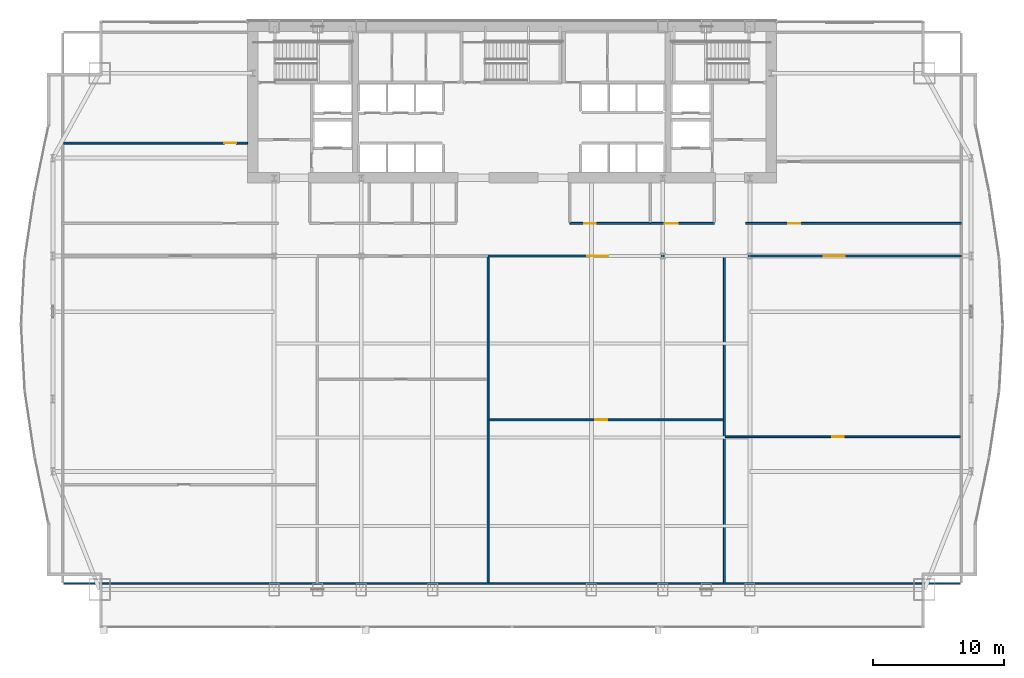
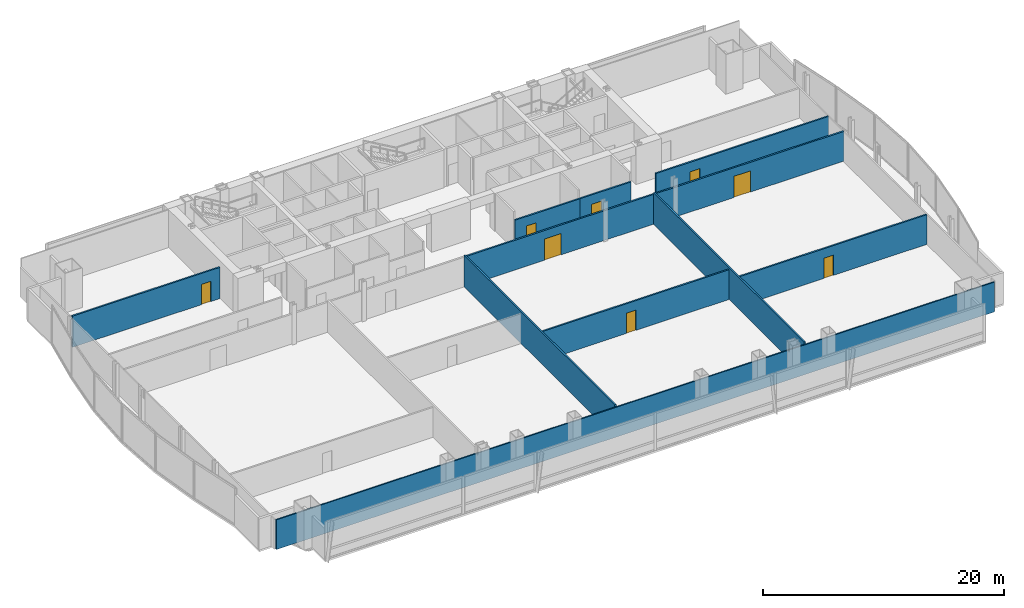
# One storey, part 31 of 36: 11 walls, 8 doors, 8 openings.
"""IFC4 building model written with IfcOpenShell, lengths in metres."""

from ifc_helpers import new_model, si_unit, direction, frame, frame_2d, origin, place, context, subcontext, project, spatial, rectangle, extrude, material, layer, layer_set, type_object, element, fill, save


model = new_model("IFC4")

# Units and contexts
model_context = context("Model", 3, precision=1e-05, world=origin(), true_north=direction((0.0, 1.0)))
body_context = subcontext(model_context, "Body", "Model", "MODEL_VIEW")
ifc_project = project(units=[si_unit("LENGTHUNIT", "METRE"), si_unit("AREAUNIT", "SQUARE_METRE"), si_unit("VOLUMEUNIT", "CUBIC_METRE"), si_unit("PLANEANGLEUNIT", "RADIAN"), si_unit("MASSUNIT", "GRAM", prefix="KILO")], contexts=[model_context])

# Site, building, storey
site_placement = place(None, origin())
site = spatial("IfcSite", under=ifc_project, at=site_placement, CompositionType="ELEMENT")
building_placement = place(site_placement, origin())
building = spatial("IfcBuilding", under=site, at=building_placement, Name="Khoronbel Lancet Exchange", CompositionType="ELEMENT")
storey_placement = place(building_placement, frame((0.0, 0.0, 57.800048828125)))
storey = spatial("IfcBuildingStorey", under=building, at=storey_placement, Name="L13", CompositionType="ELEMENT", Elevation=57.800048828125)

# Wall, opening, door
ifc_material_1 = material(Name="Acoustic Metal-Stud & Mineral-Wool Gypsum Partition 120 mm", Category="gypsum")
ifc_layer_1 = layer(ifc_material_1, 0.1201171875, Name="Acoustic Metal-Stud & Mineral-Wool Gypsum Partition 120 mm")
ifc_layer_set_1 = layer_set([ifc_layer_1], Name="Acoustic Metal-Stud & Mineral-Wool Gypsum Partition 120 mm")
wall_type_1 = type_object("IfcWallType", Name="WL-PRT120", PredefinedType="PARTITIONING", material=ifc_layer_set_1)
wall_1_placement = place(storey_placement, frame((2.094970703125, 44.35009765625, 0.0), z_axis=(0.0, 0.0, 1.0), x_axis=(1.0, 0.0, 0.0)))
wall_1 = element("IfcWall", 1, at=wall_1_placement, inside=storey, type_object=wall_type_1, Name="Level L13 interior partition PW-NW-H", PredefinedType="PARTITIONING", context=body_context, shape_type="SweptSolid", body=[
    extrude(rectangle(XDim=14.10498046875, YDim=0.14990234375, at=frame_2d((7.052490234375, 0.0))), origin(), (0.0, 0.0, 1.0), 3.159912109375),
])
opening_1_placement = place(wall_1_placement, frame((12.320068359375, 0.0, 0.0)))
opening_1 = element("IfcOpeningElement", 2, at=opening_1_placement, cuts=wall_1, Name="Opening D5", PredefinedType="OPENING", context=body_context, shape_type="SweptSolid", body=[
    extrude(rectangle(XDim=0.89990234375, YDim=2.050048828125, at=frame_2d((0.449951171875, 1.02490234375))), frame((0.0, 0.0849609375, 0.0), z_axis=(0.0, -1.0, 0.0), x_axis=(1.0, 0.0, 0.0)), (0.0, 0.0, 1.0), 0.169921875),
])
ifc_material_2 = material(Name="Acoustic Timber Pantry & Support Door", Category="wood")
door_type_1 = type_object("IfcDoorType", Name="DR-D5", OperationType="NOTDEFINED", PredefinedType="DOOR", material=ifc_material_2)
door_1_placement = place(opening_1_placement, origin())
door_1 = element("IfcDoor", 3, at=door_1_placement, inside=storey, type_object=door_type_1, Name="NW north room door L13-1", OperationType="SINGLE_SWING_LEFT", OverallHeight=2.050048828125, OverallWidth=0.89990234375, PredefinedType="DOOR", context=body_context, shape_type="SweptSolid", body=[
    extrude(rectangle(XDim=0.89990234375, YDim=2.050048828125, at=frame_2d((0.449951171875, 1.02490234375))), frame((0.0, 0.02490234375, 0.0), z_axis=(0.0, -1.0, 0.0), x_axis=(1.0, 0.0, 0.0)), (0.0, 0.0, 1.0), 0.050048828125),
])
fill(opening_1, door_1)

wall_2_placement = place(storey_placement, frame((34.693115234375, 23.14990234375, 0.0), z_axis=(0.0, 0.0, 1.0), x_axis=(1.0, 0.0, 0.0)))
wall_2 = element("IfcWall", 4, at=wall_2_placement, inside=storey, type_object=wall_type_1, Name="Level L13 interior partition PW-Z1S-H3", PredefinedType="PARTITIONING", context=body_context, shape_type="SweptSolid", body=[
    extrude(rectangle(XDim=17.94677734375, YDim=0.14990234375, at=frame_2d((8.973388671875, 0.0))), origin(), (0.0, 0.0, 1.0), 3.010009765625),
])
opening_2_placement = place(wall_2_placement, frame((8.14794921875, 0.0, 0.0)))
opening_2 = element("IfcOpeningElement", 5, at=opening_2_placement, cuts=wall_2, Name="Opening D5", PredefinedType="OPENING", context=body_context, shape_type="SweptSolid", body=[
    extrude(rectangle(XDim=0.89990234375, YDim=2.050048828125, at=frame_2d((0.449951171875, 1.02490234375))), frame((0.0, 0.0849609375, 0.0), z_axis=(0.0, -1.0, 0.0), x_axis=(1.0, 0.0, 0.0)), (0.0, 0.0, 1.0), 0.169921875),
])
door_2_placement = place(opening_2_placement, origin())
door_2 = element("IfcDoor", 6, at=door_2_placement, inside=storey, type_object=door_type_1, Name="Z1S inner door 3 L13-1", OperationType="SINGLE_SWING_RIGHT", OverallHeight=2.050048828125, OverallWidth=0.89990234375, PredefinedType="DOOR", context=body_context, shape_type="SweptSolid", body=[
    extrude(rectangle(XDim=0.89990234375, YDim=2.050048828125, at=frame_2d((0.449951171875, 1.02490234375))), frame((0.0, 0.02490234375, 0.0), z_axis=(0.0, -1.0, 0.0), x_axis=(1.0, 0.0, 0.0)), (0.0, 0.0, 1.0), 0.050048828125),
])
fill(opening_2, door_2)

wall_3_placement = place(storey_placement, frame((52.7998046875, 21.850341796875, 0.0), z_axis=(0.0, 0.0, 1.0), x_axis=(1.0, 0.0, 0.0)))
wall_3 = element("IfcWall", 7, at=wall_3_placement, inside=storey, type_object=wall_type_1, Name="Level L13 interior partition PW-Z1S-H4", PredefinedType="PARTITIONING", context=body_context, shape_type="SweptSolid", body=[
    extrude(rectangle(XDim=18.005126953125, YDim=0.14990234375, at=frame_2d((9.00244140625, 0.0))), origin(), (0.0, 0.0, 1.0), 3.010009765625),
])
opening_3_placement = place(wall_3_placement, frame((8.16748046875, 0.0, 0.0)))
opening_3 = element("IfcOpeningElement", 8, at=opening_3_placement, cuts=wall_3, Name="Opening D5", PredefinedType="OPENING", context=body_context, shape_type="SweptSolid", body=[
    extrude(rectangle(XDim=0.89990234375, YDim=2.050048828125, at=frame_2d((0.449951171875, 1.02490234375))), frame((0.0, 0.0849609375, 0.0), z_axis=(0.0, -1.0, 0.0), x_axis=(1.0, 0.0, 0.0)), (0.0, 0.0, 1.0), 0.169921875),
])
door_3_placement = place(opening_3_placement, origin())
door_3 = element("IfcDoor", 9, at=door_3_placement, inside=storey, type_object=door_type_1, Name="Z1S inner door 4 L13-1", OperationType="SINGLE_SWING_LEFT", OverallHeight=2.050048828125, OverallWidth=0.89990234375, PredefinedType="DOOR", context=body_context, shape_type="SweptSolid", body=[
    extrude(rectangle(XDim=0.89990234375, YDim=2.050048828125, at=frame_2d((0.449951171875, 1.02490234375))), frame((0.0, 0.02490234375, 0.0), z_axis=(0.0, -1.0, 0.0), x_axis=(1.0, 0.0, 0.0)), (0.0, 0.0, 1.0), 0.050048828125),
])
fill(opening_3, door_3)

# Wall
wall_4_placement = place(storey_placement, frame((2.094970703125, 10.60009765625, 0.0), z_axis=(0.0, 0.0, 1.0), x_axis=(1.0, 0.0, 0.0)))
element("IfcWall", 10, at=wall_4_placement, inside=storey, type_object=wall_type_1, Name="Level L13 interior partition PW-LIN-S", PredefinedType="PARTITIONING", context=body_context, shape_type="SweptSolid", body=[
    extrude(rectangle(XDim=68.7099609375, YDim=0.1201171875, at=frame_2d((34.35498046875, 0.0))), origin(), (0.0, 0.0, 1.0), 3.010009765625),
])

# Wall, opening, door
ifc_material_3 = material(Name="Fire-Rated Twin-Stud Acoustic Gypsum Partition 150 mm", Category="gypsum")
ifc_layer_2 = layer(ifc_material_3, 0.14990234375, Name="Fire-Rated Twin-Stud Acoustic Gypsum Partition 150 mm")
ifc_layer_set_2 = layer_set([ifc_layer_2], Name="Fire-Rated Twin-Stud Acoustic Gypsum Partition 150 mm")
wall_type_2 = type_object("IfcWallType", Name="WL-PRT150C", PredefinedType="PARTITIONING", material=ifc_layer_set_2)
wall_5_placement = place(storey_placement, frame((40.8798828125, 38.199951171875, 0.0), z_axis=(0.0, 0.0, 1.0), x_axis=(1.0, 0.0, 0.0)))
wall_5 = element("IfcWall", 11, at=wall_5_placement, inside=storey, type_object=wall_type_2, Name="Level L13 interior partition PW-NP-S1", PredefinedType="PARTITIONING", context=body_context, shape_type="SweptSolid", body=[
    extrude(rectangle(XDim=6.170166015625, YDim=0.14990234375, at=frame_2d((3.0849609375, 0.0))), origin(), (0.0, 0.0, 1.0), 3.010009765625),
])
opening_4_placement = place(wall_5_placement, frame((1.10009765625, 0.0, 0.0)))
opening_4 = element("IfcOpeningElement", 12, at=opening_4_placement, cuts=wall_5, Name="Opening D5", PredefinedType="OPENING", context=body_context, shape_type="SweptSolid", body=[
    extrude(rectangle(XDim=0.89990234375, YDim=2.050048828125, at=frame_2d((0.449951171875, 1.02490234375))), frame((0.0, 0.0849609375, 0.0), z_axis=(0.0, -1.0, 0.0), x_axis=(1.0, 0.0, 0.0)), (0.0, 0.0, 1.0), 0.169921875),
])
door_4_placement = place(opening_4_placement, origin())
door_4 = element("IfcDoor", 13, at=door_4_placement, inside=storey, type_object=door_type_1, Name="Floor refreshment pantry door L13-1", OperationType="SINGLE_SWING_LEFT", OverallHeight=2.050048828125, OverallWidth=0.89990234375, PredefinedType="DOOR", context=body_context, shape_type="SweptSolid", body=[
    extrude(rectangle(XDim=0.89990234375, YDim=2.050048828125, at=frame_2d((0.449951171875, 1.02490234375))), frame((0.0, 0.02490234375, 0.0), z_axis=(0.0, -1.0, 0.0), x_axis=(1.0, 0.0, 0.0)), (0.0, 0.0, 1.0), 0.050048828125),
])
fill(opening_4, door_4)

wall_6_placement = place(storey_placement, frame((47.050048828125, 38.199951171875, 0.0), z_axis=(0.0, 0.0, 1.0), x_axis=(1.0, 0.0, 0.0)))
wall_6 = element("IfcWall", 14, at=wall_6_placement, inside=storey, type_object=wall_type_2, Name="Level L13 interior partition PW-NP-S2", PredefinedType="PARTITIONING", context=body_context, shape_type="SweptSolid", body=[
    extrude(rectangle(XDim=4.89990234375, YDim=0.14990234375, at=frame_2d((2.449951171875, 0.0))), origin(), (0.0, 0.0, 1.0), 3.010009765625),
])
opening_5_placement = place(wall_6_placement, frame((1.10009765625, 0.0, 0.0)))
opening_5 = element("IfcOpeningElement", 15, at=opening_5_placement, cuts=wall_6, Name="Opening D2", PredefinedType="OPENING", context=body_context, shape_type="SweptSolid", body=[
    extrude(rectangle(XDim=1.0, YDim=2.050048828125, at=frame_2d((0.5, 1.02490234375))), frame((0.0, 0.0849609375, 0.0), z_axis=(0.0, -1.0, 0.0), x_axis=(1.0, 0.0, 0.0)), (0.0, 0.0, 1.0), 0.169921875),
])
ifc_material_4 = material(Name="Acoustic Veneered Timber & Bronze Frame Door", Category="wood")
door_type_2 = type_object("IfcDoorType", Name="DR-D2", OperationType="NOTDEFINED", PredefinedType="DOOR", material=ifc_material_4)
door_5_placement = place(opening_5_placement, origin())
door_5 = element("IfcDoor", 16, at=door_5_placement, inside=storey, type_object=door_type_2, Name="Floor store door L13-1", OperationType="SINGLE_SWING_RIGHT", OverallHeight=2.050048828125, OverallWidth=1.0, PredefinedType="DOOR", context=body_context, shape_type="SweptSolid", body=[
    extrude(rectangle(XDim=1.0, YDim=2.050048828125, at=frame_2d((0.5, 1.02490234375))), frame((0.0, 0.02490234375, 0.0), z_axis=(0.0, -1.0, 0.0), x_axis=(1.0, 0.0, 0.0)), (0.0, 0.0, 1.0), 0.050048828125),
])
fill(opening_5, door_5)

wall_7_placement = place(storey_placement, frame((54.35009765625, 38.199951171875, 0.0), z_axis=(0.0, 0.0, 1.0), x_axis=(1.0, 0.0, 0.0)))
wall_7 = element("IfcWall", 17, at=wall_7_placement, inside=storey, type_object=wall_type_2, Name="Level L13 interior partition PW-NE-S", PredefinedType="PARTITIONING", context=body_context, shape_type="SweptSolid", body=[
    extrude(rectangle(XDim=16.52001953125, YDim=0.14990234375, at=frame_2d((8.260009765625, 0.0))), origin(), (0.0, 0.0, 1.0), 3.010009765625),
])
opening_6_placement = place(wall_7_placement, frame((3.25, 0.0, 0.0)))
opening_6 = element("IfcOpeningElement", 18, at=opening_6_placement, cuts=wall_7, Name="Opening D1", PredefinedType="OPENING", context=body_context, shape_type="SweptSolid", body=[
    extrude(rectangle(XDim=0.949951171875, YDim=2.050048828125, at=frame_2d((0.47509765625, 1.02490234375))), frame((0.0, 0.0849609375, 0.0), z_axis=(0.0, -1.0, 0.0), x_axis=(1.0, 0.0, 0.0)), (0.0, 0.0, 1.0), 0.169921875),
])
door_type_3 = type_object("IfcDoorType", Name="DR-D1", OperationType="NOTDEFINED", PredefinedType="DOOR", material=ifc_material_4)
door_6_placement = place(opening_6_placement, origin())
door_6 = element("IfcDoor", 19, at=door_6_placement, inside=storey, type_object=door_type_3, Name="NE corner room door L13-1", OperationType="SINGLE_SWING_RIGHT", OverallHeight=2.050048828125, OverallWidth=0.949951171875, PredefinedType="DOOR", context=body_context, shape_type="SweptSolid", body=[
    extrude(rectangle(XDim=0.949951171875, YDim=2.050048828125, at=frame_2d((0.47509765625, 1.02490234375))), frame((0.0, 0.02490234375, 0.0), z_axis=(0.0, -1.0, 0.0), x_axis=(1.0, 0.0, 0.0)), (0.0, 0.0, 1.0), 0.050048828125),
])
fill(opening_6, door_6)

# Walls
for number, where, z_axis, x_axis, name in (
    (20, (34.61328125, 10.6650390625, 0.0), (0.0, 0.0, 1.0), (0.0, 1.0, 0.0), "Level L13 interior partition PW-Z1S-V2"),
    (21, (52.7197265625, 10.6650390625, 0.0), (0.0, 0.0, 1.0), (0.0, 1.0, 0.0), "Level L13 interior partition PW-Z1S-V3"),
):
    element("IfcWall", number, at=place(storey_placement, frame(where, z_axis=z_axis, x_axis=x_axis)), inside=storey, type_object=wall_type_2, Name=name, PredefinedType="PARTITIONING", context=body_context, shape_type="SweptSolid", body=[
        extrude(rectangle(XDim=24.949951171875, YDim=0.14990234375, at=frame_2d((12.47509765625, 0.0))), origin(), (0.0, 0.0, 1.0), 3.2099609375),
    ])

# Wall, opening, door
ifc_material_5 = material(Name="Fire-Rated Twin-Stud Acoustic Gypsum Partition 160 mm", Category="gypsum")
ifc_layer_3 = layer(ifc_material_5, 0.159912109375, Name="Fire-Rated Twin-Stud Acoustic Gypsum Partition 160 mm")
ifc_layer_set_3 = layer_set([ifc_layer_3], Name="Fire-Rated Twin-Stud Acoustic Gypsum Partition 160 mm")
wall_type_3 = type_object("IfcWallType", Name="WL-PRT160C", PredefinedType="PARTITIONING", material=ifc_layer_set_3)
wall_8_placement = place(storey_placement, frame((34.61328125, 35.699951171875, 0.0), z_axis=(0.0, 0.0, 1.0), x_axis=(1.0, 0.0, 0.0)))
wall_8 = element("IfcWall", 22, at=wall_8_placement, inside=storey, type_object=wall_type_3, Name="Level L13 interior partition PW-Z1S-COR3", PredefinedType="PARTITIONING", context=body_context, shape_type="SweptSolid", body=[
    extrude(rectangle(XDim=18.1064453125, YDim=0.159912109375, at=frame_2d((9.05322265625, 0.0))), origin(), (0.0, 0.0, 1.0), 3.010009765625),
])
opening_7_placement = place(wall_8_placement, frame((7.604736328125, 0.0, 0.0)))
opening_7 = element("IfcOpeningElement", 23, at=opening_7_placement, cuts=wall_8, Name="Opening D3", PredefinedType="OPENING", context=body_context, shape_type="SweptSolid", body=[
    extrude(rectangle(XDim=1.60009765625, YDim=2.14990234375, at=frame_2d((0.800048828125, 1.074951171875))), frame((0.0, 0.08984375, 0.0), z_axis=(0.0, -1.0, 0.0), x_axis=(1.0, 0.0, 0.0)), (0.0, 0.0, 1.0), 0.179931640625),
])
ifc_material_6 = material(Name="Glazed Bronze-Framed Double Suite Door", Category="aluminium")
door_type_4 = type_object("IfcDoorType", Name="DR-D3", OperationType="NOTDEFINED", PredefinedType="DOOR", material=ifc_material_6)
door_7_placement = place(opening_7_placement, origin())
door_7 = element("IfcDoor", 24, at=door_7_placement, inside=storey, type_object=door_type_4, Name="Z1S bay 3 door L13-1", OperationType="DOUBLE_DOOR_SINGLE_SWING", OverallHeight=2.14990234375, OverallWidth=1.60009765625, PredefinedType="DOOR", context=body_context, shape_type="SweptSolid", body=[
    extrude(rectangle(XDim=1.60009765625, YDim=2.14990234375, at=frame_2d((0.800048828125, 1.074951171875))), frame((0.0, 0.02490234375, 0.0), z_axis=(0.0, -1.0, 0.0), x_axis=(1.0, 0.0, 0.0)), (0.0, 0.0, 1.0), 0.050048828125),
])
fill(opening_7, door_7)

wall_9_placement = place(storey_placement, frame((52.7197265625, 35.699951171875, 0.0), z_axis=(0.0, 0.0, 1.0), x_axis=(1.0, 0.0, 0.0)))
wall_9 = element("IfcWall", 25, at=wall_9_placement, inside=storey, type_object=wall_type_3, Name="Level L13 interior partition PW-Z1S-COR4", PredefinedType="PARTITIONING", context=body_context, shape_type="SweptSolid", body=[
    extrude(rectangle(XDim=18.150390625, YDim=0.159912109375, at=frame_2d((9.0751953125, 0.0))), origin(), (0.0, 0.0, 1.0), 3.010009765625),
])
opening_8_placement = place(wall_9_placement, frame((7.623046875, 0.0, 0.0)))
opening_8 = element("IfcOpeningElement", 26, at=opening_8_placement, cuts=wall_9, Name="Opening D3", PredefinedType="OPENING", context=body_context, shape_type="SweptSolid", body=[
    extrude(rectangle(XDim=1.60009765625, YDim=2.14990234375, at=frame_2d((0.800048828125, 1.074951171875))), frame((0.0, 0.08984375, 0.0), z_axis=(0.0, -1.0, 0.0), x_axis=(1.0, 0.0, 0.0)), (0.0, 0.0, 1.0), 0.179931640625),
])
door_8_placement = place(opening_8_placement, origin())
door_8 = element("IfcDoor", 27, at=door_8_placement, inside=storey, type_object=door_type_4, Name="Z1S bay 4 door L13-1", OperationType="DOUBLE_DOOR_SINGLE_SWING", OverallHeight=2.14990234375, OverallWidth=1.60009765625, PredefinedType="DOOR", context=body_context, shape_type="SweptSolid", body=[
    extrude(rectangle(XDim=1.60009765625, YDim=2.14990234375, at=frame_2d((0.800048828125, 1.074951171875))), frame((0.0, 0.02490234375, 0.0), z_axis=(0.0, -1.0, 0.0), x_axis=(1.0, 0.0, 0.0)), (0.0, 0.0, 1.0), 0.050048828125),
])
fill(opening_8, door_8)

save(model, "model.ifc")
